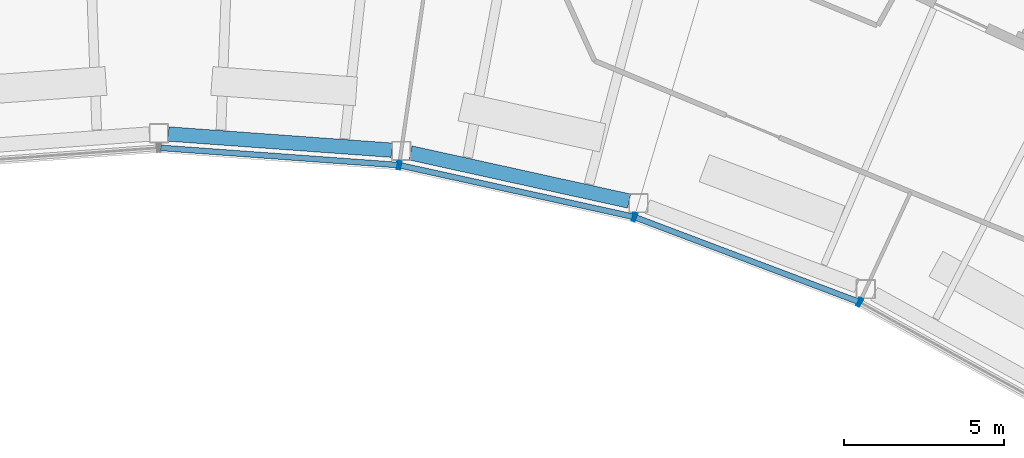
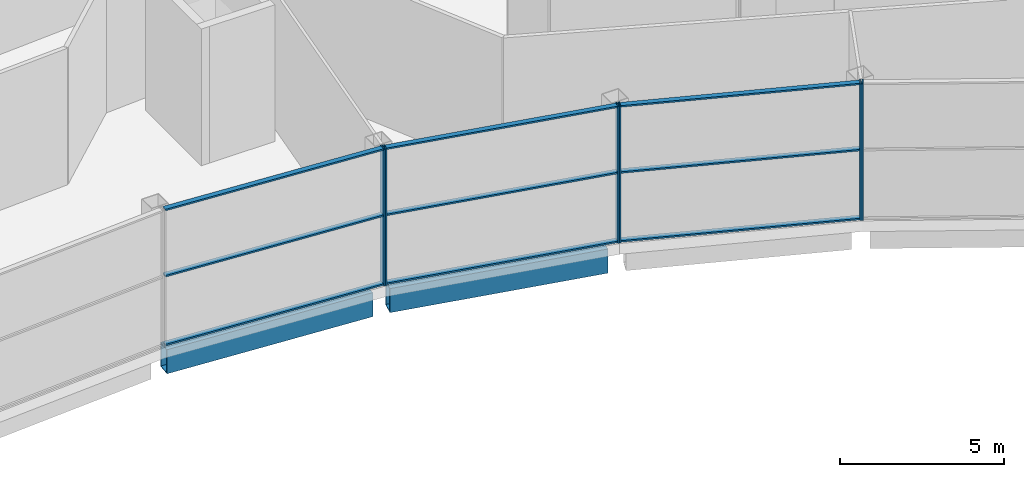
# One storey, part 20 of 43: 15 members, 2 beams, 4 elements without a shape of their own.
"""IFC4 building model written with IfcOpenShell, lengths in metres."""

from ifc_helpers import new_model, si_unit, direction, frame, origin, origin_2d, place, context, subcontext, project, spatial, hollow_rectangle, extrude, material, layer, layer_set, material_profile, profile_set, type_object, element, aggregate, save


model = new_model("IFC4")

# Units and contexts
model_context = context("Model", 3, precision=1e-05, world=origin(), true_north=direction((0.0, 1.0)))
body_context = subcontext(model_context, "Body", "Model", "MODEL_VIEW")
ifc_project = project(units=[si_unit("LENGTHUNIT", "METRE"), si_unit("AREAUNIT", "SQUARE_METRE"), si_unit("VOLUMEUNIT", "CUBIC_METRE"), si_unit("PLANEANGLEUNIT", "RADIAN"), si_unit("MASSUNIT", "GRAM", prefix="KILO")], contexts=[model_context])

# Site, building, storey
site_placement = place(None, origin())
site = spatial("IfcSite", under=ifc_project, at=site_placement, CompositionType="ELEMENT")
building_placement = place(site_placement, origin())
building = spatial("IfcBuilding", under=site, at=building_placement, Name="Tuul Gate Civic Tower", CompositionType="ELEMENT")
storey_placement = place(building_placement, frame((0.0, 0.0, 349.10009765625)))
storey = spatial("IfcBuildingStorey", under=building, at=storey_placement, Name="Observation level 1", CompositionType="ELEMENT", Elevation=349.10009765625)

# Curtain wall, member
ifc_material_1 = material(Name="Stainless steel", Category="steel")
ifc_layer = layer(ifc_material_1, 0.199951171875)
ifc_layer_set = layer_set([ifc_layer], Name="Stainless steel")
curtain_wall_type = type_object("IfcCurtainWallType", Name="Curtain wall CW4", PredefinedType="NOTDEFINED", material=ifc_layer_set)
curtain_wall_1_placement = place(storey_placement, origin())
curtain_wall_1 = element("IfcCurtainWall", 1, at=curtain_wall_1_placement, inside=storey, type_object=curtain_wall_type, Name="Curtain wall CW4", PredefinedType="NOTDEFINED")
ifc_material_2 = material(Name="Stainless steel", Category="steel")
ifc_material_profile_1 = material_profile(ifc_material_2, hollow_rectangle(XDim=0.260009765625, YDim=0.06005859375, WallThickness=0.006103515625, at=origin_2d()), Name="CW4 mullion")
ifc_profile_set_1 = profile_set([ifc_material_profile_1], Name="Stainless steel")
member_type_1 = type_object("IfcMemberType", Name="CW4 mullion", PredefinedType="MULLION", material=ifc_profile_set_1)
member_1_placement = place(storey_placement, frame((9.669189453125, -8.520751953125, 0.0), z_axis=(0.0, 0.0, 1.0), x_axis=(0.072276176045, 0.997384657179, 0.0)))
member_1 = element("IfcMember", 2, at=member_1_placement, type_object=member_type_1, Name="Mullion", PredefinedType="MULLION", context=body_context, shape_type="SweptSolid", body=[
    extrude(hollow_rectangle(XDim=0.260009765625, YDim=0.06005859375, WallThickness=0.006103515625, at=origin_2d()), origin(), (0.0, 0.0, 1.0), 5.099853515625),
])

# Curtain wall, members
curtain_wall_2_placement = place(storey_placement, origin())
curtain_wall_2 = element("IfcCurtainWall", 3, at=curtain_wall_2_placement, inside=storey, type_object=curtain_wall_type, Name="Curtain wall CW4", PredefinedType="NOTDEFINED")
member_2_placement = place(storey_placement, frame((9.728271484375, -8.529541015625, 0.0), z_axis=(0.0, 0.0, 1.0), x_axis=(0.215241961183, 0.976560749849, 0.0)))
member_2 = element("IfcMember", 4, at=member_2_placement, type_object=member_type_1, Name="Mullion", PredefinedType="MULLION", context=body_context, shape_type="SweptSolid", body=[
    extrude(hollow_rectangle(XDim=0.260009765625, YDim=0.06005859375, WallThickness=0.006103515625, at=origin_2d()), origin(), (0.0, 0.0, 1.0), 5.099853515625),
])
member_3_placement = place(storey_placement, frame((17.019775390625, -10.136474609375, 0.0), z_axis=(0.0, 0.0, 1.0), x_axis=(0.215241961183, 0.976560749849, 0.0)))
member_3 = element("IfcMember", 5, at=member_3_placement, type_object=member_type_1, Name="Mullion", PredefinedType="MULLION", context=body_context, shape_type="SweptSolid", body=[
    extrude(hollow_rectangle(XDim=0.260009765625, YDim=0.06005859375, WallThickness=0.006103515625, at=origin_2d()), origin(), (0.0, 0.0, 1.0), 5.099853515625),
])

curtain_wall_3_placement = place(storey_placement, origin())
curtain_wall_3 = element("IfcCurtainWall", 6, at=curtain_wall_3_placement, inside=storey, type_object=curtain_wall_type, Name="Curtain wall CW4", PredefinedType="NOTDEFINED")
member_4_placement = place(storey_placement, frame((17.0771484375, -10.153564453125, 0.0), z_axis=(0.0, 0.0, 1.0), x_axis=(0.353684769481, 0.935364679597, 0.0)))
member_4 = element("IfcMember", 7, at=member_4_placement, type_object=member_type_1, Name="Mullion", PredefinedType="MULLION", context=body_context, shape_type="SweptSolid", body=[
    extrude(hollow_rectangle(XDim=0.260009765625, YDim=0.06005859375, WallThickness=0.006103515625, at=origin_2d()), origin(), (0.0, 0.0, 1.0), 5.099853515625),
])
member_5_placement = place(storey_placement, frame((24.06103515625, -12.79443359375, 0.0), z_axis=(0.0, 0.0, 1.0), x_axis=(0.353684769481, 0.935364679597, 0.0)))
member_5 = element("IfcMember", 8, at=member_5_placement, type_object=member_type_1, Name="Mullion", PredefinedType="MULLION", context=body_context, shape_type="SweptSolid", body=[
    extrude(hollow_rectangle(XDim=0.260009765625, YDim=0.06005859375, WallThickness=0.006103515625, at=origin_2d()), origin(), (0.0, 0.0, 1.0), 5.099853515625),
])

# Curtain wall, member
curtain_wall_4_placement = place(storey_placement, origin())
curtain_wall_4 = element("IfcCurtainWall", 9, at=curtain_wall_4_placement, inside=storey, type_object=curtain_wall_type, Name="Curtain wall CW4", PredefinedType="NOTDEFINED")
member_6_placement = place(storey_placement, frame((24.115234375, -12.819580078125, 0.0), z_axis=(0.0, 0.0, 1.0), x_axis=(0.48480794476, 0.874620635875, 0.0)))
member_6 = element("IfcMember", 10, at=member_6_placement, type_object=member_type_1, Name="Mullion", PredefinedType="MULLION", context=body_context, shape_type="SweptSolid", body=[
    extrude(hollow_rectangle(XDim=0.260009765625, YDim=0.06005859375, WallThickness=0.006103515625, at=origin_2d()), origin(), (0.0, 0.0, 1.0), 5.099853515625),
])
aggregate(curtain_wall_4, [member_6])

# Member
ifc_material_3 = material(Name="Stainless steel", Category="steel")
ifc_material_profile_2 = material_profile(ifc_material_3, hollow_rectangle(XDim=0.179931640625, YDim=0.06005859375, WallThickness=0.006103515625, at=origin_2d()), Name="CW4 transom")
ifc_profile_set_2 = profile_set([ifc_material_profile_2], Name="Stainless steel")
member_type_2 = type_object("IfcMemberType", Name="CW4 transom", PredefinedType="USERDEFINED", material=ifc_profile_set_2)
member_7_placement = place(storey_placement, frame((2.251953125, -7.9833984375, 0.02978515625), z_axis=(0.997386242121, -0.072254301102, 0.0), x_axis=(0.072254301102, 0.997386242121, 0.0)))
member_7 = element("IfcMember", 11, at=member_7_placement, type_object=member_type_2, Name="Transom", ObjectType="TRANSOM", PredefinedType="USERDEFINED", context=body_context, shape_type="SweptSolid", body=[
    extrude(hollow_rectangle(XDim=0.179931640625, YDim=0.06005859375, WallThickness=0.006103515625, at=origin_2d()), origin(), (0.0, 0.0, 1.0), 7.406494140625),
])

member_8_placement = place(storey_placement, frame((2.251953125, -7.9833984375, 2.599853515625), z_axis=(0.997386242121, -0.072254301102, 0.0), x_axis=(0.072254301102, 0.997386242121, 0.0)))
member_8 = element("IfcMember", 12, at=member_8_placement, type_object=member_type_2, Name="Transom", ObjectType="TRANSOM", PredefinedType="USERDEFINED", context=body_context, shape_type="SweptSolid", body=[
    extrude(hollow_rectangle(XDim=0.179931640625, YDim=0.06005859375, WallThickness=0.006103515625, at=origin_2d()), origin(), (0.0, 0.0, 1.0), 7.406494140625),
])

member_9_placement = place(storey_placement, frame((2.251953125, -7.9833984375, 5.06982421875), z_axis=(0.997386242121, -0.072254301102, 0.0), x_axis=(0.072254301102, 0.997386242121, 0.0)))
member_9 = element("IfcMember", 13, at=member_9_placement, type_object=member_type_2, Name="Transom", ObjectType="TRANSOM", PredefinedType="USERDEFINED", context=body_context, shape_type="SweptSolid", body=[
    extrude(hollow_rectangle(XDim=0.179931640625, YDim=0.06005859375, WallThickness=0.006103515625, at=origin_2d()), origin(), (0.0, 0.0, 1.0), 7.406494140625),
])

aggregate(curtain_wall_1, [member_1, member_7, member_8, member_9])

member_10_placement = place(storey_placement, frame((9.757568359375, -8.535888671875, 0.02978515625), z_axis=(0.976559448931, -0.215247863414, 0.0), x_axis=(0.215247863414, 0.976559448931, 0.0)))
member_10 = element("IfcMember", 14, at=member_10_placement, type_object=member_type_2, Name="Transom", ObjectType="TRANSOM", PredefinedType="USERDEFINED", context=body_context, shape_type="SweptSolid", body=[
    extrude(hollow_rectangle(XDim=0.179931640625, YDim=0.06005859375, WallThickness=0.006103515625, at=origin_2d()), origin(), (0.0, 0.0, 1.0), 7.406494140625),
])

member_11_placement = place(storey_placement, frame((9.757568359375, -8.535888671875, 2.599853515625), z_axis=(0.976559448931, -0.215247863414, 0.0), x_axis=(0.215247863414, 0.976559448931, 0.0)))
member_11 = element("IfcMember", 15, at=member_11_placement, type_object=member_type_2, Name="Transom", ObjectType="TRANSOM", PredefinedType="USERDEFINED", context=body_context, shape_type="SweptSolid", body=[
    extrude(hollow_rectangle(XDim=0.179931640625, YDim=0.06005859375, WallThickness=0.006103515625, at=origin_2d()), origin(), (0.0, 0.0, 1.0), 7.406494140625),
])

member_12_placement = place(storey_placement, frame((9.757568359375, -8.535888671875, 5.06982421875), z_axis=(0.976559448931, -0.215247863414, 0.0), x_axis=(0.215247863414, 0.976559448931, 0.0)))
member_12 = element("IfcMember", 16, at=member_12_placement, type_object=member_type_2, Name="Transom", ObjectType="TRANSOM", PredefinedType="USERDEFINED", context=body_context, shape_type="SweptSolid", body=[
    extrude(hollow_rectangle(XDim=0.179931640625, YDim=0.06005859375, WallThickness=0.006103515625, at=origin_2d()), origin(), (0.0, 0.0, 1.0), 7.406494140625),
])

aggregate(curtain_wall_2, [member_2, member_3, member_10, member_11, member_12])

member_13_placement = place(storey_placement, frame((17.105224609375, -10.164306640625, 0.02978515625), z_axis=(0.935372040354, -0.353665302402, 0.0), x_axis=(0.353665302402, 0.935372040354, 0.0)))
member_13 = element("IfcMember", 17, at=member_13_placement, type_object=member_type_2, Name="Transom", ObjectType="TRANSOM", PredefinedType="USERDEFINED", context=body_context, shape_type="SweptSolid", body=[
    extrude(hollow_rectangle(XDim=0.179931640625, YDim=0.06005859375, WallThickness=0.006103515625, at=origin_2d()), origin(), (0.0, 0.0, 1.0), 7.406494140625),
])

member_14_placement = place(storey_placement, frame((17.105224609375, -10.164306640625, 2.599853515625), z_axis=(0.935372040354, -0.353665302402, 0.0), x_axis=(0.353665302402, 0.935372040354, 0.0)))
member_14 = element("IfcMember", 18, at=member_14_placement, type_object=member_type_2, Name="Transom", ObjectType="TRANSOM", PredefinedType="USERDEFINED", context=body_context, shape_type="SweptSolid", body=[
    extrude(hollow_rectangle(XDim=0.179931640625, YDim=0.06005859375, WallThickness=0.006103515625, at=origin_2d()), origin(), (0.0, 0.0, 1.0), 7.406494140625),
])

member_15_placement = place(storey_placement, frame((17.105224609375, -10.164306640625, 5.06982421875), z_axis=(0.935372040354, -0.353665302402, 0.0), x_axis=(0.353665302402, 0.935372040354, 0.0)))
member_15 = element("IfcMember", 19, at=member_15_placement, type_object=member_type_2, Name="Transom", ObjectType="TRANSOM", PredefinedType="USERDEFINED", context=body_context, shape_type="SweptSolid", body=[
    extrude(hollow_rectangle(XDim=0.179931640625, YDim=0.06005859375, WallThickness=0.006103515625, at=origin_2d()), origin(), (0.0, 0.0, 1.0), 7.406494140625),
])

aggregate(curtain_wall_3, [member_4, member_5, member_13, member_14, member_15])

# Beams
ifc_material_4 = material(Name="Steel S355", Category="steel")
ifc_material_profile_3 = material_profile(ifc_material_4, hollow_rectangle(XDim=0.449951171875, YDim=0.89990234375, WallThickness=0.02490234375, at=origin_2d()), Name="BOX900x450x25")
ifc_profile_set_3 = profile_set([ifc_material_profile_3], Name="Steel S355")
beam_type = type_object("IfcBeamType", Name="STR-SPANDREL BEAM-BOX900x450x25", PredefinedType="BEAM", material=ifc_profile_set_3)
beam_1_placement = place(storey_placement, frame((2.4912109375, -7.5498046875, -0.85009765625), z_axis=(0.99738191337, -0.072314029638, 0.0), x_axis=(0.072314029638, 0.99738191337, 0.0)))
element("IfcBeam", 20, at=beam_1_placement, inside=storey, type_object=beam_type, Name="Spandrel beam", PredefinedType="BEAM", context=body_context, shape_type="SweptSolid", body=[
    extrude(hollow_rectangle(XDim=0.449951171875, YDim=0.89990234375, WallThickness=0.02490234375, at=origin_2d()), origin(), (0.0, 0.0, 1.0), 6.991943359375),
])
beam_2_placement = place(storey_placement, frame((10.056884765625, -8.1416015625, -0.85009765625), z_axis=(0.976592853912, -0.215096252149, 0.0), x_axis=(0.215096252149, 0.976592853912, 0.0)))
element("IfcBeam", 21, at=beam_2_placement, inside=storey, type_object=beam_type, Name="Spandrel beam", PredefinedType="BEAM", context=body_context, shape_type="SweptSolid", body=[
    extrude(hollow_rectangle(XDim=0.449951171875, YDim=0.89990234375, WallThickness=0.02490234375, at=origin_2d()), origin(), (0.0, 0.0, 1.0), 6.99169921875),
])

save(model, "model.ifc")
